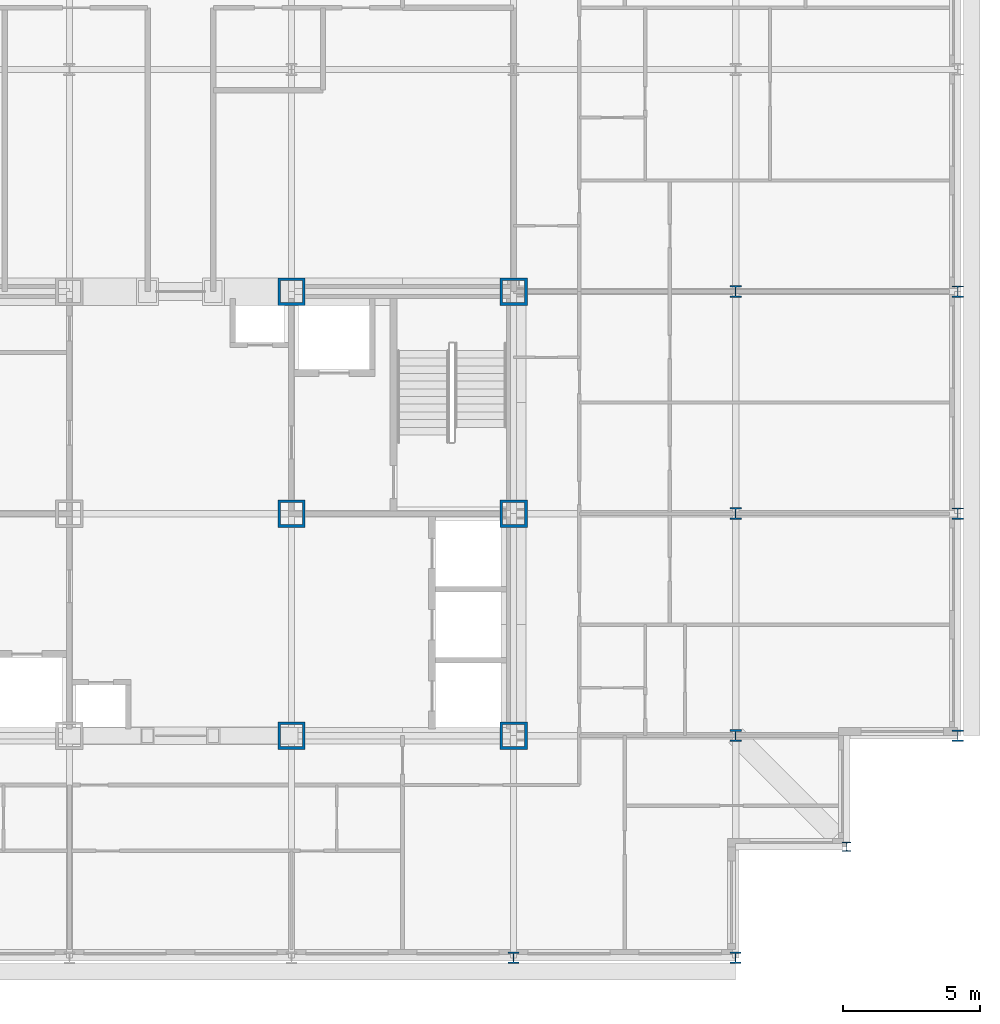
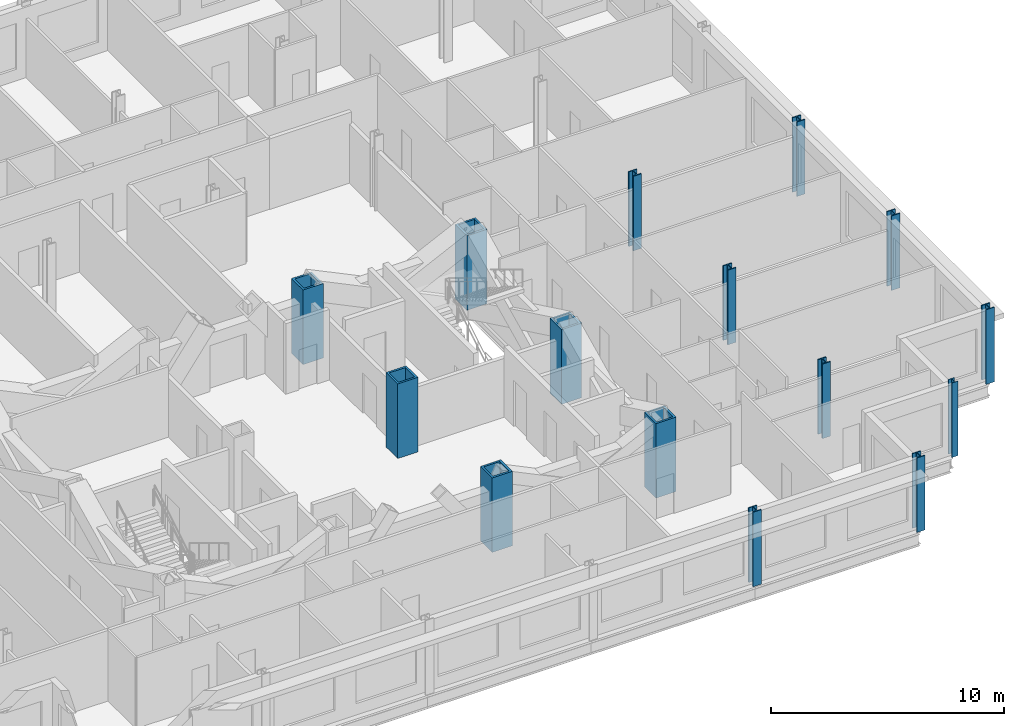
# One storey, part 2 of 15: 15 columns.
"""IFC4 building model written with IfcOpenShell, lengths in metres."""

from ifc_helpers import new_model, si_unit, direction, frame, origin, origin_2d, place, context, subcontext, project, spatial, hollow_rectangle, i_section, extrude, material, material_profile, profile_set, type_object, element, save


model = new_model("IFC4")

# Units and contexts
model_context = context("Model", 3, precision=1e-05, world=origin(), true_north=direction((0.0, 1.0)))
body_context = subcontext(model_context, "Body", "Model", "MODEL_VIEW")
ifc_project = project(units=[si_unit("LENGTHUNIT", "METRE"), si_unit("AREAUNIT", "SQUARE_METRE"), si_unit("VOLUMEUNIT", "CUBIC_METRE"), si_unit("PLANEANGLEUNIT", "RADIAN"), si_unit("MASSUNIT", "GRAM", prefix="KILO")], contexts=[model_context])

# Site, building, storey
site_placement = place(None, origin())
site = spatial("IfcSite", under=ifc_project, at=site_placement, CompositionType="ELEMENT")
building_placement = place(site_placement, origin())
building = spatial("IfcBuilding", under=site, at=building_placement, Name="Kopane Lantern Tower", CompositionType="ELEMENT")
storey_placement = place(building_placement, frame((0.0, 0.0, 273.60009765625)))
storey = spatial("IfcBuildingStorey", under=building, at=storey_placement, Name="L70", CompositionType="ELEMENT", Elevation=273.60009765625)

# Columns
ifc_material_1 = material(Name="Steel S355JR", Category="steel")
ifc_material_profile_1 = material_profile(ifc_material_1, hollow_rectangle(XDim=1.0, YDim=1.0, WallThickness=0.10009765625, at=origin_2d()), Name="BOX 1000x1000x100")
ifc_profile_set_1 = profile_set([ifc_material_profile_1], Name="Steel S355JR")
column_type_1 = type_object("IfcColumnType", Name="COLUMN BOX 1000x1000x100", PredefinedType="COLUMN", material=ifc_profile_set_1)
for number, where, z_axis, x_axis, name in (
    (1, (32.39990234375, 24.300048828125, 0.0), (0.0, 0.0, 1.0), (1.0, 0.0, 0.0), "Column 6/E L70"),
    (2, (32.39990234375, 32.39990234375, 0.0), (0.0, 0.0, 1.0), (1.0, 0.0, 0.0), "Column 6/F L70"),
    (3, (32.39990234375, 40.5, 0.0), (0.0, 0.0, 1.0), (1.0, 0.0, 0.0), "Column 6/G L70"),
    (4, (40.5, 24.300048828125, 0.0), (0.0, 0.0, 1.0), (1.0, 0.0, 0.0), "Column 7/E L70"),
    (5, (40.5, 32.39990234375, 0.0), (0.0, 0.0, 1.0), (1.0, 0.0, 0.0), "Column 7/F L70"),
    (6, (40.5, 40.5, 0.0), (0.0, 0.0, 1.0), (1.0, 0.0, 0.0), "Column 7/G L70"),
):
    element("IfcColumn", number, at=place(storey_placement, frame(where, z_axis=z_axis, x_axis=x_axis)), inside=storey, type_object=column_type_1, Name=name, PredefinedType="COLUMN", context=body_context, shape_type="SweptSolid", body=[
        extrude(hollow_rectangle(XDim=1.0, YDim=1.0, WallThickness=0.10009765625, at=origin_2d()), origin(), (0.0, 0.0, 1.0), 3.89990234375),
    ])
ifc_material_2 = material(Name="Steel S355JR", Category="steel")
ifc_material_profile_2 = material_profile(ifc_material_2, i_section(OverallWidth=0.307373046875, OverallDepth=0.314453125, WebThickness=0.011962890625, FlangeThickness=0.018798828125, FilletRadius=0.01513671875, at=origin_2d()), Name="UC 305x305x118")
ifc_profile_set_2 = profile_set([ifc_material_profile_2], Name="Steel S355JR")
column_type_2 = type_object("IfcColumnType", Name="COLUMN UC 305x305x118", PredefinedType="COLUMN", material=ifc_profile_set_2)
column_placement = place(storey_placement, frame((52.64990234375, 20.25, 0.0), z_axis=(0.0, 0.0, 1.0), x_axis=(1.0, 0.0, 0.0)))
element("IfcColumn", 7, at=column_placement, inside=storey, type_object=column_type_2, Name="Column 52.65/20.25 L70", PredefinedType="COLUMN", context=body_context, shape_type="SweptSolid", body=[
    extrude(i_section(OverallWidth=0.307373046875, OverallDepth=0.314453125, WebThickness=0.011962890625, FlangeThickness=0.018798828125, FilletRadius=0.01513671875, at=origin_2d()), origin(), (0.0, 0.0, 1.0), 3.89990234375),
])
ifc_material_3 = material(Name="Steel S355JR", Category="steel")
ifc_material_profile_3 = material_profile(ifc_material_3, i_section(OverallWidth=0.406982421875, OverallDepth=0.4189453125, WebThickness=0.030517578125, FlangeThickness=0.04931640625, FilletRadius=0.01513671875, at=origin_2d()), Name="UC 356x406x393")
ifc_profile_set_3 = profile_set([ifc_material_profile_3], Name="Steel S355JR")
column_type_3 = type_object("IfcColumnType", Name="COLUMN UC 356x406x393", PredefinedType="COLUMN", material=ifc_profile_set_3)
for number, where, z_axis, x_axis, name in (
    (8, (40.5, 16.199951171875, 0.0), (0.0, 0.0, 1.0), (1.0, 0.0, 0.0), "Column 7/D L70"),
    (9, (48.60009765625, 16.199951171875, 0.0), (0.0, 0.0, 1.0), (1.0, 0.0, 0.0), "Column 8/D L70"),
    (10, (56.699951171875, 24.300048828125, 0.0), (0.0, 0.0, 1.0), (1.0, 0.0, 0.0), "Column 9/E L70"),
    (11, (56.699951171875, 32.39990234375, 0.0), (0.0, 0.0, 1.0), (1.0, 0.0, 0.0), "Column 9/F L70"),
    (12, (56.699951171875, 40.5, 0.0), (0.0, 0.0, 1.0), (1.0, 0.0, 0.0), "Column 9/G L70"),
):
    element("IfcColumn", number, at=place(storey_placement, frame(where, z_axis=z_axis, x_axis=x_axis)), inside=storey, type_object=column_type_3, Name=name, PredefinedType="COLUMN", context=body_context, shape_type="SweptSolid", body=[
        extrude(i_section(OverallWidth=0.406982421875, OverallDepth=0.4189453125, WebThickness=0.030517578125, FlangeThickness=0.04931640625, FilletRadius=0.01513671875, at=origin_2d()), origin(), (0.0, 0.0, 1.0), 3.89990234375),
    ])
ifc_material_4 = material(Name="Steel S355JR", Category="steel")
ifc_material_profile_4 = material_profile(ifc_material_4, i_section(OverallWidth=0.412109375, OverallDepth=0.4365234375, WebThickness=0.035888671875, FlangeThickness=0.05810546875, FilletRadius=0.01513671875, at=origin_2d()), Name="UC 356x406x467")
ifc_profile_set_4 = profile_set([ifc_material_profile_4], Name="Steel S355JR")
column_type_4 = type_object("IfcColumnType", Name="COLUMN UC 356x406x467", PredefinedType="COLUMN", material=ifc_profile_set_4)
for number, where, z_axis, x_axis, name in (
    (13, (48.60009765625, 24.300048828125, 0.0), (0.0, 0.0, 1.0), (1.0, 0.0, 0.0), "Column 8/E L70"),
    (14, (48.60009765625, 32.39990234375, 0.0), (0.0, 0.0, 1.0), (1.0, 0.0, 0.0), "Column 8/F L70"),
    (15, (48.60009765625, 40.5, 0.0), (0.0, 0.0, 1.0), (1.0, 0.0, 0.0), "Column 8/G L70"),
):
    element("IfcColumn", number, at=place(storey_placement, frame(where, z_axis=z_axis, x_axis=x_axis)), inside=storey, type_object=column_type_4, Name=name, PredefinedType="COLUMN", context=body_context, shape_type="SweptSolid", body=[
        extrude(i_section(OverallWidth=0.412109375, OverallDepth=0.4365234375, WebThickness=0.035888671875, FlangeThickness=0.05810546875, FilletRadius=0.01513671875, at=origin_2d()), origin(), (0.0, 0.0, 1.0), 3.89990234375),
    ])

save(model, "model.ifc")
